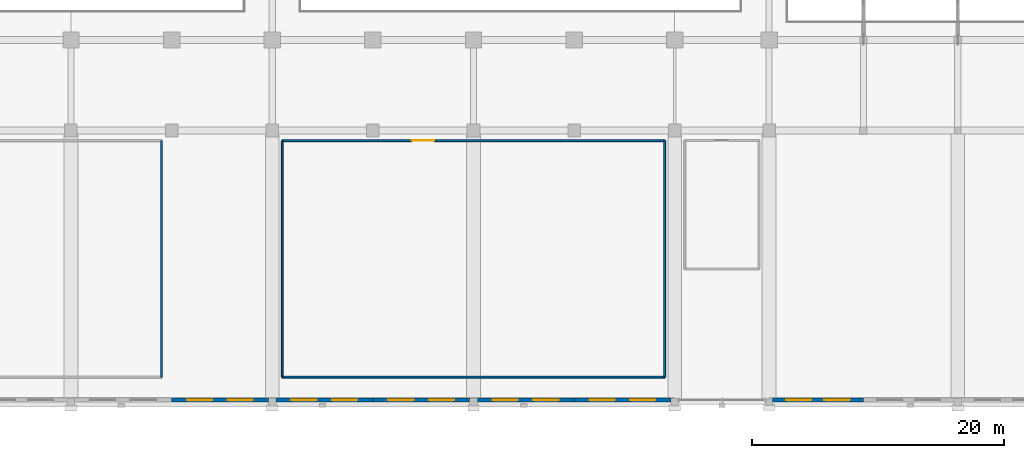
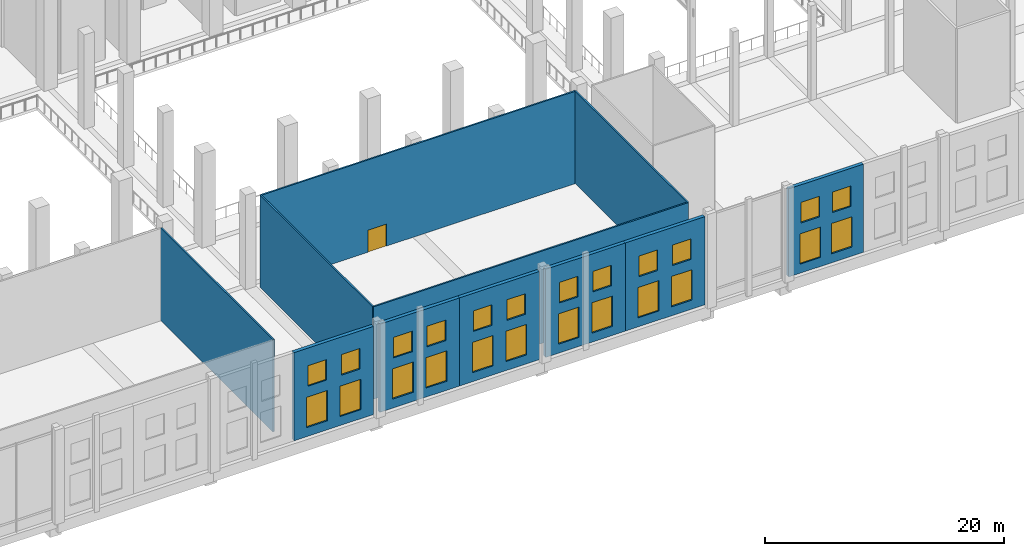
# One storey, part 63 of 80: 24 windows, 11 walls, 1 door, 25 openings.
"""IFC4 building model written with IfcOpenShell, lengths in metres."""

from ifc_helpers import new_model, si_unit, direction, frame, frame_2d, origin, place, context, subcontext, project, spatial, rectangle, extrude, material, layer, layer_set, type_object, element, fill, save


model = new_model("IFC4")

# Units and contexts
model_context = context("Model", 3, precision=1e-05, world=origin(), true_north=direction((0.0, 1.0)))
body_context = subcontext(model_context, "Body", "Model", "MODEL_VIEW")
ifc_project = project(units=[si_unit("LENGTHUNIT", "METRE"), si_unit("AREAUNIT", "SQUARE_METRE"), si_unit("VOLUMEUNIT", "CUBIC_METRE"), si_unit("PLANEANGLEUNIT", "RADIAN"), si_unit("MASSUNIT", "GRAM", prefix="KILO")], contexts=[model_context])

# Site, building, storey
site_placement = place(None, origin())
site = spatial("IfcSite", under=ifc_project, at=site_placement, CompositionType="ELEMENT")
building_placement = place(site_placement, origin())
building = spatial("IfcBuilding", under=site, at=building_placement, Name="Akrevak Sports Hall", CompositionType="ELEMENT")
storey_placement = place(building_placement, frame((0.0, 0.0, 14.0)))
storey = spatial("IfcBuildingStorey", under=building, at=storey_placement, Name="L03", CompositionType="ELEMENT", Elevation=14.0)

# Wall, openings, windows
ifc_material_1 = material(Name="Limestone Ashlar", Category="stone")
ifc_layer_1 = layer(ifc_material_1, 0.070068359375, Name="Limestone Ashlar")
ifc_material_2 = material(Name="Mineral Wool Thermal Insulation", Category="insulation")
ifc_layer_2 = layer(ifc_material_2, 0.10009765625, Name="Mineral Wool Thermal Insulation")
ifc_material_3 = material(Name="Concrete C40/50", Category="concrete")
ifc_layer_3 = layer(ifc_material_3, 0.169921875, Name="Concrete C40/50")
ifc_layer_set_1 = layer_set([ifc_layer_1, ifc_layer_2, ifc_layer_3], Name="Limestone Ashlar / Mineral Wool Thermal Insulation / Concrete C40/50")
wall_type_1 = type_object("IfcWallType", Name="ARC-WL-EXT-340", PredefinedType="SOLIDWALL", material=ifc_layer_set_1)
wall_1_placement = place(storey_placement, frame((68.0, 0.169921875, 0.0), z_axis=(0.0, 0.0, 1.0), x_axis=(1.0, 0.0, 0.0)))
wall_1 = element("IfcWall", 1, at=wall_1_placement, inside=storey, type_object=wall_type_1, Name="Exterior Limestone Wall L03-S08", PredefinedType="SOLIDWALL", context=body_context, shape_type="SweptSolid", body=[
    extrude(rectangle(XDim=7.699951171875, YDim=0.340087890625, at=frame_2d((3.85009765625, 0.0))), origin(), (0.0, 0.0, 1.0), 9.0),
])
opening_1_placement = place(wall_1_placement, frame((1.23291015625, 0.0, 0.919921875)))
opening_1 = element("IfcOpeningElement", 2, at=opening_1_placement, cuts=wall_1, Name="Opening WN-41", PredefinedType="OPENING", context=body_context, shape_type="SweptSolid", body=[
    extrude(rectangle(XDim=2.0, YDim=3.10009765625, at=frame_2d((1.0, 1.550048828125))), frame((0.0, 0.18212890625, 0.0), z_axis=(0.0, -1.0, 0.0), x_axis=(1.0, 0.0, 0.0)), (0.0, 0.0, 1.0), 0.364013671875),
])
opening_2_placement = place(wall_1_placement, frame((1.3330078125, 0.0, 5.10009765625)))
opening_2 = element("IfcOpeningElement", 3, at=opening_2_placement, cuts=wall_1, Name="Opening WN-37", PredefinedType="OPENING", context=body_context, shape_type="SweptSolid", body=[
    extrude(rectangle(XDim=1.800048828125, YDim=2.10009765625, at=frame_2d((0.89990234375, 1.050048828125))), frame((0.0, 0.18212890625, 0.0), z_axis=(0.0, -1.0, 0.0), x_axis=(1.0, 0.0, 0.0)), (0.0, 0.0, 1.0), 0.364013671875),
])
opening_3_placement = place(wall_1_placement, frame((4.467041015625, 0.0, 0.919921875)))
opening_3 = element("IfcOpeningElement", 4, at=opening_3_placement, cuts=wall_1, Name="Opening WN-41", PredefinedType="OPENING", context=body_context, shape_type="SweptSolid", body=[
    extrude(rectangle(XDim=2.0, YDim=3.10009765625, at=frame_2d((1.0, 1.550048828125))), frame((0.0, 0.18212890625, 0.0), z_axis=(0.0, -1.0, 0.0), x_axis=(1.0, 0.0, 0.0)), (0.0, 0.0, 1.0), 0.364013671875),
])
opening_4_placement = place(wall_1_placement, frame((4.56689453125, 0.0, 5.10009765625)))
opening_4 = element("IfcOpeningElement", 5, at=opening_4_placement, cuts=wall_1, Name="Opening WN-37", PredefinedType="OPENING", context=body_context, shape_type="SweptSolid", body=[
    extrude(rectangle(XDim=1.800048828125, YDim=2.10009765625, at=frame_2d((0.89990234375, 1.050048828125))), frame((0.0, 0.18212890625, 0.0), z_axis=(0.0, -1.0, 0.0), x_axis=(1.0, 0.0, 0.0)), (0.0, 0.0, 1.0), 0.364013671875),
])
ifc_material_4 = material(Name="Thermally Broken Bronze Frame & Double Low-E Glass", Category="glass")
window_type_1 = type_object("IfcWindowType", Name="ARC-WIN-SZ-1800x2100", PartitioningType="SINGLE_PANEL", PredefinedType="WINDOW", material=ifc_material_4)
window_1_placement = place(opening_2_placement, origin())
window_1 = element("IfcWindow", 6, at=window_1_placement, inside=storey, type_object=window_type_1, Name="Beaux-Arts Attic Clerestory Window WIN-L03-S08-1U", OverallHeight=2.10009765625, OverallWidth=1.800048828125, PartitioningType="SINGLE_PANEL", PredefinedType="WINDOW", context=body_context, shape_type="SweptSolid", body=[
    extrude(rectangle(XDim=1.800048828125, YDim=2.10009765625, at=frame_2d((0.89990234375, 1.050048828125))), frame((0.0, 0.030029296875, 0.0), z_axis=(0.0, -1.0, 0.0), x_axis=(1.0, 0.0, 0.0)), (0.0, 0.0, 1.0), 0.06005859375),
])
fill(opening_2, window_1)
window_2_placement = place(opening_4_placement, origin())
window_2 = element("IfcWindow", 7, at=window_2_placement, inside=storey, type_object=window_type_1, Name="Beaux-Arts Attic Clerestory Window WIN-L03-S08-2U", OverallHeight=2.10009765625, OverallWidth=1.800048828125, PartitioningType="SINGLE_PANEL", PredefinedType="WINDOW", context=body_context, shape_type="SweptSolid", body=[
    extrude(rectangle(XDim=1.800048828125, YDim=2.10009765625, at=frame_2d((0.89990234375, 1.050048828125))), frame((0.0, 0.030029296875, 0.0), z_axis=(0.0, -1.0, 0.0), x_axis=(1.0, 0.0, 0.0)), (0.0, 0.0, 1.0), 0.06005859375),
])
fill(opening_4, window_2)
window_type_2 = type_object("IfcWindowType", Name="ARC-WIN-SZ-2000x3100", PartitioningType="SINGLE_PANEL", PredefinedType="WINDOW", material=ifc_material_4)
window_3_placement = place(opening_1_placement, origin())
window_3 = element("IfcWindow", 8, at=window_3_placement, inside=storey, type_object=window_type_2, Name="Beaux-Arts Facade Window WIN-L03-S08-1", OverallHeight=3.10009765625, OverallWidth=2.0, PartitioningType="SINGLE_PANEL", PredefinedType="WINDOW", context=body_context, shape_type="SweptSolid", body=[
    extrude(rectangle(XDim=2.0, YDim=3.10009765625, at=frame_2d((1.0, 1.550048828125))), frame((0.0, 0.030029296875, 0.0), z_axis=(0.0, -1.0, 0.0), x_axis=(1.0, 0.0, 0.0)), (0.0, 0.0, 1.0), 0.06005859375),
])
fill(opening_1, window_3)
window_4_placement = place(opening_3_placement, origin())
window_4 = element("IfcWindow", 9, at=window_4_placement, inside=storey, type_object=window_type_2, Name="Beaux-Arts Facade Window WIN-L03-S08-2", OverallHeight=3.10009765625, OverallWidth=2.0, PartitioningType="SINGLE_PANEL", PredefinedType="WINDOW", context=body_context, shape_type="SweptSolid", body=[
    extrude(rectangle(XDim=2.0, YDim=3.10009765625, at=frame_2d((1.0, 1.550048828125))), frame((0.0, 0.030029296875, 0.0), z_axis=(0.0, -1.0, 0.0), x_axis=(1.0, 0.0, 0.0)), (0.0, 0.0, 1.0), 0.06005859375),
])
fill(opening_3, window_4)

wall_2_placement = place(storey_placement, frame((76.300048828125, 0.169921875, 0.0), z_axis=(0.0, 0.0, 1.0), x_axis=(1.0, 0.0, 0.0)))
wall_2 = element("IfcWall", 10, at=wall_2_placement, inside=storey, type_object=wall_type_1, Name="Exterior Limestone Wall L03-S09", PredefinedType="SOLIDWALL", context=body_context, shape_type="SweptSolid", body=[
    extrude(rectangle(XDim=7.699951171875, YDim=0.340087890625, at=frame_2d((3.85009765625, 0.0))), origin(), (0.0, 0.0, 1.0), 9.0),
])
opening_5_placement = place(wall_2_placement, frame((1.23291015625, 0.0, 0.919921875)))
opening_5 = element("IfcOpeningElement", 11, at=opening_5_placement, cuts=wall_2, Name="Opening WN-41", PredefinedType="OPENING", context=body_context, shape_type="SweptSolid", body=[
    extrude(rectangle(XDim=2.0, YDim=3.10009765625, at=frame_2d((1.0, 1.550048828125))), frame((0.0, 0.18212890625, 0.0), z_axis=(0.0, -1.0, 0.0), x_axis=(1.0, 0.0, 0.0)), (0.0, 0.0, 1.0), 0.364013671875),
])
opening_6_placement = place(wall_2_placement, frame((1.3330078125, 0.0, 5.10009765625)))
opening_6 = element("IfcOpeningElement", 12, at=opening_6_placement, cuts=wall_2, Name="Opening WN-37", PredefinedType="OPENING", context=body_context, shape_type="SweptSolid", body=[
    extrude(rectangle(XDim=1.800048828125, YDim=2.10009765625, at=frame_2d((0.89990234375, 1.050048828125))), frame((0.0, 0.18212890625, 0.0), z_axis=(0.0, -1.0, 0.0), x_axis=(1.0, 0.0, 0.0)), (0.0, 0.0, 1.0), 0.364013671875),
])
opening_7_placement = place(wall_2_placement, frame((4.467041015625, 0.0, 0.919921875)))
opening_7 = element("IfcOpeningElement", 13, at=opening_7_placement, cuts=wall_2, Name="Opening WN-41", PredefinedType="OPENING", context=body_context, shape_type="SweptSolid", body=[
    extrude(rectangle(XDim=2.0, YDim=3.10009765625, at=frame_2d((1.0, 1.550048828125))), frame((0.0, 0.18212890625, 0.0), z_axis=(0.0, -1.0, 0.0), x_axis=(1.0, 0.0, 0.0)), (0.0, 0.0, 1.0), 0.364013671875),
])
opening_8_placement = place(wall_2_placement, frame((4.56689453125, 0.0, 5.10009765625)))
opening_8 = element("IfcOpeningElement", 14, at=opening_8_placement, cuts=wall_2, Name="Opening WN-37", PredefinedType="OPENING", context=body_context, shape_type="SweptSolid", body=[
    extrude(rectangle(XDim=1.800048828125, YDim=2.10009765625, at=frame_2d((0.89990234375, 1.050048828125))), frame((0.0, 0.18212890625, 0.0), z_axis=(0.0, -1.0, 0.0), x_axis=(1.0, 0.0, 0.0)), (0.0, 0.0, 1.0), 0.364013671875),
])
window_5_placement = place(opening_6_placement, origin())
window_5 = element("IfcWindow", 15, at=window_5_placement, inside=storey, type_object=window_type_1, Name="Beaux-Arts Attic Clerestory Window WIN-L03-S09-1U", OverallHeight=2.10009765625, OverallWidth=1.800048828125, PartitioningType="SINGLE_PANEL", PredefinedType="WINDOW", context=body_context, shape_type="SweptSolid", body=[
    extrude(rectangle(XDim=1.800048828125, YDim=2.10009765625, at=frame_2d((0.89990234375, 1.050048828125))), frame((0.0, 0.030029296875, 0.0), z_axis=(0.0, -1.0, 0.0), x_axis=(1.0, 0.0, 0.0)), (0.0, 0.0, 1.0), 0.06005859375),
])
fill(opening_6, window_5)
window_6_placement = place(opening_8_placement, origin())
window_6 = element("IfcWindow", 16, at=window_6_placement, inside=storey, type_object=window_type_1, Name="Beaux-Arts Attic Clerestory Window WIN-L03-S09-2U", OverallHeight=2.10009765625, OverallWidth=1.800048828125, PartitioningType="SINGLE_PANEL", PredefinedType="WINDOW", context=body_context, shape_type="SweptSolid", body=[
    extrude(rectangle(XDim=1.800048828125, YDim=2.10009765625, at=frame_2d((0.89990234375, 1.050048828125))), frame((0.0, 0.030029296875, 0.0), z_axis=(0.0, -1.0, 0.0), x_axis=(1.0, 0.0, 0.0)), (0.0, 0.0, 1.0), 0.06005859375),
])
fill(opening_8, window_6)
window_7_placement = place(opening_5_placement, origin())
window_7 = element("IfcWindow", 17, at=window_7_placement, inside=storey, type_object=window_type_2, Name="Beaux-Arts Facade Window WIN-L03-S09-1", OverallHeight=3.10009765625, OverallWidth=2.0, PartitioningType="SINGLE_PANEL", PredefinedType="WINDOW", context=body_context, shape_type="SweptSolid", body=[
    extrude(rectangle(XDim=2.0, YDim=3.10009765625, at=frame_2d((1.0, 1.550048828125))), frame((0.0, 0.030029296875, 0.0), z_axis=(0.0, -1.0, 0.0), x_axis=(1.0, 0.0, 0.0)), (0.0, 0.0, 1.0), 0.06005859375),
])
fill(opening_5, window_7)
window_8_placement = place(opening_7_placement, origin())
window_8 = element("IfcWindow", 18, at=window_8_placement, inside=storey, type_object=window_type_2, Name="Beaux-Arts Facade Window WIN-L03-S09-2", OverallHeight=3.10009765625, OverallWidth=2.0, PartitioningType="SINGLE_PANEL", PredefinedType="WINDOW", context=body_context, shape_type="SweptSolid", body=[
    extrude(rectangle(XDim=2.0, YDim=3.10009765625, at=frame_2d((1.0, 1.550048828125))), frame((0.0, 0.030029296875, 0.0), z_axis=(0.0, -1.0, 0.0), x_axis=(1.0, 0.0, 0.0)), (0.0, 0.0, 1.0), 0.06005859375),
])
fill(opening_7, window_8)

wall_3_placement = place(storey_placement, frame((84.0, 0.169921875, 0.0), z_axis=(0.0, 0.0, 1.0), x_axis=(1.0, 0.0, 0.0)))
wall_3 = element("IfcWall", 19, at=wall_3_placement, inside=storey, type_object=wall_type_1, Name="Exterior Limestone Wall L03-S10", PredefinedType="SOLIDWALL", context=body_context, shape_type="SweptSolid", body=[
    extrude(rectangle(XDim=7.699951171875, YDim=0.340087890625, at=frame_2d((3.85009765625, 0.0))), origin(), (0.0, 0.0, 1.0), 9.0),
])
opening_9_placement = place(wall_3_placement, frame((1.23291015625, 0.0, 0.919921875)))
opening_9 = element("IfcOpeningElement", 20, at=opening_9_placement, cuts=wall_3, Name="Opening WN-41", PredefinedType="OPENING", context=body_context, shape_type="SweptSolid", body=[
    extrude(rectangle(XDim=2.0, YDim=3.10009765625, at=frame_2d((1.0, 1.550048828125))), frame((0.0, 0.18212890625, 0.0), z_axis=(0.0, -1.0, 0.0), x_axis=(1.0, 0.0, 0.0)), (0.0, 0.0, 1.0), 0.364013671875),
])
opening_10_placement = place(wall_3_placement, frame((1.3330078125, 0.0, 5.10009765625)))
opening_10 = element("IfcOpeningElement", 21, at=opening_10_placement, cuts=wall_3, Name="Opening WN-37", PredefinedType="OPENING", context=body_context, shape_type="SweptSolid", body=[
    extrude(rectangle(XDim=1.800048828125, YDim=2.10009765625, at=frame_2d((0.89990234375, 1.050048828125))), frame((0.0, 0.18212890625, 0.0), z_axis=(0.0, -1.0, 0.0), x_axis=(1.0, 0.0, 0.0)), (0.0, 0.0, 1.0), 0.364013671875),
])
opening_11_placement = place(wall_3_placement, frame((4.467041015625, 0.0, 0.919921875)))
opening_11 = element("IfcOpeningElement", 22, at=opening_11_placement, cuts=wall_3, Name="Opening WN-41", PredefinedType="OPENING", context=body_context, shape_type="SweptSolid", body=[
    extrude(rectangle(XDim=2.0, YDim=3.10009765625, at=frame_2d((1.0, 1.550048828125))), frame((0.0, 0.18212890625, 0.0), z_axis=(0.0, -1.0, 0.0), x_axis=(1.0, 0.0, 0.0)), (0.0, 0.0, 1.0), 0.364013671875),
])
opening_12_placement = place(wall_3_placement, frame((4.56689453125, 0.0, 5.10009765625)))
opening_12 = element("IfcOpeningElement", 23, at=opening_12_placement, cuts=wall_3, Name="Opening WN-37", PredefinedType="OPENING", context=body_context, shape_type="SweptSolid", body=[
    extrude(rectangle(XDim=1.800048828125, YDim=2.10009765625, at=frame_2d((0.89990234375, 1.050048828125))), frame((0.0, 0.18212890625, 0.0), z_axis=(0.0, -1.0, 0.0), x_axis=(1.0, 0.0, 0.0)), (0.0, 0.0, 1.0), 0.364013671875),
])
window_9_placement = place(opening_10_placement, origin())
window_9 = element("IfcWindow", 24, at=window_9_placement, inside=storey, type_object=window_type_1, Name="Beaux-Arts Attic Clerestory Window WIN-L03-S10-1U", OverallHeight=2.10009765625, OverallWidth=1.800048828125, PartitioningType="SINGLE_PANEL", PredefinedType="WINDOW", context=body_context, shape_type="SweptSolid", body=[
    extrude(rectangle(XDim=1.800048828125, YDim=2.10009765625, at=frame_2d((0.89990234375, 1.050048828125))), frame((0.0, 0.030029296875, 0.0), z_axis=(0.0, -1.0, 0.0), x_axis=(1.0, 0.0, 0.0)), (0.0, 0.0, 1.0), 0.06005859375),
])
fill(opening_10, window_9)
window_10_placement = place(opening_12_placement, origin())
window_10 = element("IfcWindow", 25, at=window_10_placement, inside=storey, type_object=window_type_1, Name="Beaux-Arts Attic Clerestory Window WIN-L03-S10-2U", OverallHeight=2.10009765625, OverallWidth=1.800048828125, PartitioningType="SINGLE_PANEL", PredefinedType="WINDOW", context=body_context, shape_type="SweptSolid", body=[
    extrude(rectangle(XDim=1.800048828125, YDim=2.10009765625, at=frame_2d((0.89990234375, 1.050048828125))), frame((0.0, 0.030029296875, 0.0), z_axis=(0.0, -1.0, 0.0), x_axis=(1.0, 0.0, 0.0)), (0.0, 0.0, 1.0), 0.06005859375),
])
fill(opening_12, window_10)
window_11_placement = place(opening_9_placement, origin())
window_11 = element("IfcWindow", 26, at=window_11_placement, inside=storey, type_object=window_type_2, Name="Beaux-Arts Facade Window WIN-L03-S10-1", OverallHeight=3.10009765625, OverallWidth=2.0, PartitioningType="SINGLE_PANEL", PredefinedType="WINDOW", context=body_context, shape_type="SweptSolid", body=[
    extrude(rectangle(XDim=2.0, YDim=3.10009765625, at=frame_2d((1.0, 1.550048828125))), frame((0.0, 0.030029296875, 0.0), z_axis=(0.0, -1.0, 0.0), x_axis=(1.0, 0.0, 0.0)), (0.0, 0.0, 1.0), 0.06005859375),
])
fill(opening_9, window_11)
window_12_placement = place(opening_11_placement, origin())
window_12 = element("IfcWindow", 27, at=window_12_placement, inside=storey, type_object=window_type_2, Name="Beaux-Arts Facade Window WIN-L03-S10-2", OverallHeight=3.10009765625, OverallWidth=2.0, PartitioningType="SINGLE_PANEL", PredefinedType="WINDOW", context=body_context, shape_type="SweptSolid", body=[
    extrude(rectangle(XDim=2.0, YDim=3.10009765625, at=frame_2d((1.0, 1.550048828125))), frame((0.0, 0.030029296875, 0.0), z_axis=(0.0, -1.0, 0.0), x_axis=(1.0, 0.0, 0.0)), (0.0, 0.0, 1.0), 0.06005859375),
])
fill(opening_11, window_12)

wall_4_placement = place(storey_placement, frame((92.300048828125, 0.169921875, 0.0), z_axis=(0.0, 0.0, 1.0), x_axis=(1.0, 0.0, 0.0)))
wall_4 = element("IfcWall", 28, at=wall_4_placement, inside=storey, type_object=wall_type_1, Name="Exterior Limestone Wall L03-S11", PredefinedType="SOLIDWALL", context=body_context, shape_type="SweptSolid", body=[
    extrude(rectangle(XDim=7.699951171875, YDim=0.340087890625, at=frame_2d((3.85009765625, 0.0))), origin(), (0.0, 0.0, 1.0), 9.0),
])
opening_13_placement = place(wall_4_placement, frame((1.23291015625, 0.0, 0.919921875)))
opening_13 = element("IfcOpeningElement", 29, at=opening_13_placement, cuts=wall_4, Name="Opening WN-41", PredefinedType="OPENING", context=body_context, shape_type="SweptSolid", body=[
    extrude(rectangle(XDim=2.0, YDim=3.10009765625, at=frame_2d((1.0, 1.550048828125))), frame((0.0, 0.18212890625, 0.0), z_axis=(0.0, -1.0, 0.0), x_axis=(1.0, 0.0, 0.0)), (0.0, 0.0, 1.0), 0.364013671875),
])
opening_14_placement = place(wall_4_placement, frame((1.3330078125, 0.0, 5.10009765625)))
opening_14 = element("IfcOpeningElement", 30, at=opening_14_placement, cuts=wall_4, Name="Opening WN-37", PredefinedType="OPENING", context=body_context, shape_type="SweptSolid", body=[
    extrude(rectangle(XDim=1.800048828125, YDim=2.10009765625, at=frame_2d((0.89990234375, 1.050048828125))), frame((0.0, 0.18212890625, 0.0), z_axis=(0.0, -1.0, 0.0), x_axis=(1.0, 0.0, 0.0)), (0.0, 0.0, 1.0), 0.364013671875),
])
opening_15_placement = place(wall_4_placement, frame((4.467041015625, 0.0, 0.919921875)))
opening_15 = element("IfcOpeningElement", 31, at=opening_15_placement, cuts=wall_4, Name="Opening WN-41", PredefinedType="OPENING", context=body_context, shape_type="SweptSolid", body=[
    extrude(rectangle(XDim=2.0, YDim=3.10009765625, at=frame_2d((1.0, 1.550048828125))), frame((0.0, 0.18212890625, 0.0), z_axis=(0.0, -1.0, 0.0), x_axis=(1.0, 0.0, 0.0)), (0.0, 0.0, 1.0), 0.364013671875),
])
opening_16_placement = place(wall_4_placement, frame((4.56689453125, 0.0, 5.10009765625)))
opening_16 = element("IfcOpeningElement", 32, at=opening_16_placement, cuts=wall_4, Name="Opening WN-37", PredefinedType="OPENING", context=body_context, shape_type="SweptSolid", body=[
    extrude(rectangle(XDim=1.800048828125, YDim=2.10009765625, at=frame_2d((0.89990234375, 1.050048828125))), frame((0.0, 0.18212890625, 0.0), z_axis=(0.0, -1.0, 0.0), x_axis=(1.0, 0.0, 0.0)), (0.0, 0.0, 1.0), 0.364013671875),
])
window_13_placement = place(opening_14_placement, origin())
window_13 = element("IfcWindow", 33, at=window_13_placement, inside=storey, type_object=window_type_1, Name="Beaux-Arts Attic Clerestory Window WIN-L03-S11-1U", OverallHeight=2.10009765625, OverallWidth=1.800048828125, PartitioningType="SINGLE_PANEL", PredefinedType="WINDOW", context=body_context, shape_type="SweptSolid", body=[
    extrude(rectangle(XDim=1.800048828125, YDim=2.10009765625, at=frame_2d((0.89990234375, 1.050048828125))), frame((0.0, 0.030029296875, 0.0), z_axis=(0.0, -1.0, 0.0), x_axis=(1.0, 0.0, 0.0)), (0.0, 0.0, 1.0), 0.06005859375),
])
fill(opening_14, window_13)
window_14_placement = place(opening_16_placement, origin())
window_14 = element("IfcWindow", 34, at=window_14_placement, inside=storey, type_object=window_type_1, Name="Beaux-Arts Attic Clerestory Window WIN-L03-S11-2U", OverallHeight=2.10009765625, OverallWidth=1.800048828125, PartitioningType="SINGLE_PANEL", PredefinedType="WINDOW", context=body_context, shape_type="SweptSolid", body=[
    extrude(rectangle(XDim=1.800048828125, YDim=2.10009765625, at=frame_2d((0.89990234375, 1.050048828125))), frame((0.0, 0.030029296875, 0.0), z_axis=(0.0, -1.0, 0.0), x_axis=(1.0, 0.0, 0.0)), (0.0, 0.0, 1.0), 0.06005859375),
])
fill(opening_16, window_14)
window_15_placement = place(opening_13_placement, origin())
window_15 = element("IfcWindow", 35, at=window_15_placement, inside=storey, type_object=window_type_2, Name="Beaux-Arts Facade Window WIN-L03-S11-1", OverallHeight=3.10009765625, OverallWidth=2.0, PartitioningType="SINGLE_PANEL", PredefinedType="WINDOW", context=body_context, shape_type="SweptSolid", body=[
    extrude(rectangle(XDim=2.0, YDim=3.10009765625, at=frame_2d((1.0, 1.550048828125))), frame((0.0, 0.030029296875, 0.0), z_axis=(0.0, -1.0, 0.0), x_axis=(1.0, 0.0, 0.0)), (0.0, 0.0, 1.0), 0.06005859375),
])
fill(opening_13, window_15)
window_16_placement = place(opening_15_placement, origin())
window_16 = element("IfcWindow", 36, at=window_16_placement, inside=storey, type_object=window_type_2, Name="Beaux-Arts Facade Window WIN-L03-S11-2", OverallHeight=3.10009765625, OverallWidth=2.0, PartitioningType="SINGLE_PANEL", PredefinedType="WINDOW", context=body_context, shape_type="SweptSolid", body=[
    extrude(rectangle(XDim=2.0, YDim=3.10009765625, at=frame_2d((1.0, 1.550048828125))), frame((0.0, 0.030029296875, 0.0), z_axis=(0.0, -1.0, 0.0), x_axis=(1.0, 0.0, 0.0)), (0.0, 0.0, 1.0), 0.06005859375),
])
fill(opening_15, window_16)

wall_5_placement = place(storey_placement, frame((100.0, 0.169921875, 0.0), z_axis=(0.0, 0.0, 1.0), x_axis=(1.0, 0.0, 0.0)))
wall_5 = element("IfcWall", 37, at=wall_5_placement, inside=storey, type_object=wall_type_1, Name="Exterior Limestone Wall L03-S12", PredefinedType="SOLIDWALL", context=body_context, shape_type="SweptSolid", body=[
    extrude(rectangle(XDim=7.699951171875, YDim=0.340087890625, at=frame_2d((3.85009765625, 0.0))), origin(), (0.0, 0.0, 1.0), 9.0),
])
opening_17_placement = place(wall_5_placement, frame((1.23291015625, 0.0, 0.919921875)))
opening_17 = element("IfcOpeningElement", 38, at=opening_17_placement, cuts=wall_5, Name="Opening WN-41", PredefinedType="OPENING", context=body_context, shape_type="SweptSolid", body=[
    extrude(rectangle(XDim=2.0, YDim=3.10009765625, at=frame_2d((1.0, 1.550048828125))), frame((0.0, 0.18212890625, 0.0), z_axis=(0.0, -1.0, 0.0), x_axis=(1.0, 0.0, 0.0)), (0.0, 0.0, 1.0), 0.364013671875),
])
opening_18_placement = place(wall_5_placement, frame((1.3330078125, 0.0, 5.10009765625)))
opening_18 = element("IfcOpeningElement", 39, at=opening_18_placement, cuts=wall_5, Name="Opening WN-37", PredefinedType="OPENING", context=body_context, shape_type="SweptSolid", body=[
    extrude(rectangle(XDim=1.800048828125, YDim=2.10009765625, at=frame_2d((0.89990234375, 1.050048828125))), frame((0.0, 0.18212890625, 0.0), z_axis=(0.0, -1.0, 0.0), x_axis=(1.0, 0.0, 0.0)), (0.0, 0.0, 1.0), 0.364013671875),
])
opening_19_placement = place(wall_5_placement, frame((4.467041015625, 0.0, 0.919921875)))
opening_19 = element("IfcOpeningElement", 40, at=opening_19_placement, cuts=wall_5, Name="Opening WN-41", PredefinedType="OPENING", context=body_context, shape_type="SweptSolid", body=[
    extrude(rectangle(XDim=2.0, YDim=3.10009765625, at=frame_2d((1.0, 1.550048828125))), frame((0.0, 0.18212890625, 0.0), z_axis=(0.0, -1.0, 0.0), x_axis=(1.0, 0.0, 0.0)), (0.0, 0.0, 1.0), 0.364013671875),
])
opening_20_placement = place(wall_5_placement, frame((4.56689453125, 0.0, 5.10009765625)))
opening_20 = element("IfcOpeningElement", 41, at=opening_20_placement, cuts=wall_5, Name="Opening WN-37", PredefinedType="OPENING", context=body_context, shape_type="SweptSolid", body=[
    extrude(rectangle(XDim=1.800048828125, YDim=2.10009765625, at=frame_2d((0.89990234375, 1.050048828125))), frame((0.0, 0.18212890625, 0.0), z_axis=(0.0, -1.0, 0.0), x_axis=(1.0, 0.0, 0.0)), (0.0, 0.0, 1.0), 0.364013671875),
])
window_17_placement = place(opening_18_placement, origin())
window_17 = element("IfcWindow", 42, at=window_17_placement, inside=storey, type_object=window_type_1, Name="Beaux-Arts Attic Clerestory Window WIN-L03-S12-1U", OverallHeight=2.10009765625, OverallWidth=1.800048828125, PartitioningType="SINGLE_PANEL", PredefinedType="WINDOW", context=body_context, shape_type="SweptSolid", body=[
    extrude(rectangle(XDim=1.800048828125, YDim=2.10009765625, at=frame_2d((0.89990234375, 1.050048828125))), frame((0.0, 0.030029296875, 0.0), z_axis=(0.0, -1.0, 0.0), x_axis=(1.0, 0.0, 0.0)), (0.0, 0.0, 1.0), 0.06005859375),
])
fill(opening_18, window_17)
window_18_placement = place(opening_20_placement, origin())
window_18 = element("IfcWindow", 43, at=window_18_placement, inside=storey, type_object=window_type_1, Name="Beaux-Arts Attic Clerestory Window WIN-L03-S12-2U", OverallHeight=2.10009765625, OverallWidth=1.800048828125, PartitioningType="SINGLE_PANEL", PredefinedType="WINDOW", context=body_context, shape_type="SweptSolid", body=[
    extrude(rectangle(XDim=1.800048828125, YDim=2.10009765625, at=frame_2d((0.89990234375, 1.050048828125))), frame((0.0, 0.030029296875, 0.0), z_axis=(0.0, -1.0, 0.0), x_axis=(1.0, 0.0, 0.0)), (0.0, 0.0, 1.0), 0.06005859375),
])
fill(opening_20, window_18)
window_19_placement = place(opening_17_placement, origin())
window_19 = element("IfcWindow", 44, at=window_19_placement, inside=storey, type_object=window_type_2, Name="Beaux-Arts Facade Window WIN-L03-S12-1", OverallHeight=3.10009765625, OverallWidth=2.0, PartitioningType="SINGLE_PANEL", PredefinedType="WINDOW", context=body_context, shape_type="SweptSolid", body=[
    extrude(rectangle(XDim=2.0, YDim=3.10009765625, at=frame_2d((1.0, 1.550048828125))), frame((0.0, 0.030029296875, 0.0), z_axis=(0.0, -1.0, 0.0), x_axis=(1.0, 0.0, 0.0)), (0.0, 0.0, 1.0), 0.06005859375),
])
fill(opening_17, window_19)
window_20_placement = place(opening_19_placement, origin())
window_20 = element("IfcWindow", 45, at=window_20_placement, inside=storey, type_object=window_type_2, Name="Beaux-Arts Facade Window WIN-L03-S12-2", OverallHeight=3.10009765625, OverallWidth=2.0, PartitioningType="SINGLE_PANEL", PredefinedType="WINDOW", context=body_context, shape_type="SweptSolid", body=[
    extrude(rectangle(XDim=2.0, YDim=3.10009765625, at=frame_2d((1.0, 1.550048828125))), frame((0.0, 0.030029296875, 0.0), z_axis=(0.0, -1.0, 0.0), x_axis=(1.0, 0.0, 0.0)), (0.0, 0.0, 1.0), 0.06005859375),
])
fill(opening_19, window_20)

wall_6_placement = place(storey_placement, frame((115.77490234375, 0.169921875, 0.0), z_axis=(0.0, 0.0, 1.0), x_axis=(1.0, 0.0, 0.0)))
wall_6 = element("IfcWall", 46, at=wall_6_placement, inside=storey, type_object=wall_type_1, Name="Exterior Limestone Wall L03-S14", PredefinedType="SOLIDWALL", context=body_context, shape_type="SweptSolid", body=[
    extrude(rectangle(XDim=7.22509765625, YDim=0.340087890625, at=frame_2d((3.612548828125, 0.0))), origin(), (0.0, 0.0, 1.0), 9.0),
])
opening_21_placement = place(wall_6_placement, frame((1.09521484375, 0.0, 0.919921875)))
opening_21 = element("IfcOpeningElement", 47, at=opening_21_placement, cuts=wall_6, Name="Opening WN-41", PredefinedType="OPENING", context=body_context, shape_type="SweptSolid", body=[
    extrude(rectangle(XDim=2.0, YDim=3.10009765625, at=frame_2d((1.0, 1.550048828125))), frame((0.0, 0.18212890625, 0.0), z_axis=(0.0, -1.0, 0.0), x_axis=(1.0, 0.0, 0.0)), (0.0, 0.0, 1.0), 0.364013671875),
])
opening_22_placement = place(wall_6_placement, frame((1.1953125, 0.0, 5.10009765625)))
opening_22 = element("IfcOpeningElement", 48, at=opening_22_placement, cuts=wall_6, Name="Opening WN-37", PredefinedType="OPENING", context=body_context, shape_type="SweptSolid", body=[
    extrude(rectangle(XDim=1.800048828125, YDim=2.10009765625, at=frame_2d((0.89990234375, 1.050048828125))), frame((0.0, 0.18212890625, 0.0), z_axis=(0.0, -1.0, 0.0), x_axis=(1.0, 0.0, 0.0)), (0.0, 0.0, 1.0), 0.364013671875),
])
opening_23_placement = place(wall_6_placement, frame((4.1298828125, 0.0, 0.919921875)))
opening_23 = element("IfcOpeningElement", 49, at=opening_23_placement, cuts=wall_6, Name="Opening WN-41", PredefinedType="OPENING", context=body_context, shape_type="SweptSolid", body=[
    extrude(rectangle(XDim=2.0, YDim=3.10009765625, at=frame_2d((1.0, 1.550048828125))), frame((0.0, 0.18212890625, 0.0), z_axis=(0.0, -1.0, 0.0), x_axis=(1.0, 0.0, 0.0)), (0.0, 0.0, 1.0), 0.364013671875),
])
opening_24_placement = place(wall_6_placement, frame((4.229736328125, 0.0, 5.10009765625)))
opening_24 = element("IfcOpeningElement", 50, at=opening_24_placement, cuts=wall_6, Name="Opening WN-37", PredefinedType="OPENING", context=body_context, shape_type="SweptSolid", body=[
    extrude(rectangle(XDim=1.800048828125, YDim=2.10009765625, at=frame_2d((0.89990234375, 1.050048828125))), frame((0.0, 0.18212890625, 0.0), z_axis=(0.0, -1.0, 0.0), x_axis=(1.0, 0.0, 0.0)), (0.0, 0.0, 1.0), 0.364013671875),
])
window_21_placement = place(opening_22_placement, origin())
window_21 = element("IfcWindow", 51, at=window_21_placement, inside=storey, type_object=window_type_1, Name="Beaux-Arts Attic Clerestory Window WIN-L03-S14-1U", OverallHeight=2.10009765625, OverallWidth=1.800048828125, PartitioningType="SINGLE_PANEL", PredefinedType="WINDOW", context=body_context, shape_type="SweptSolid", body=[
    extrude(rectangle(XDim=1.800048828125, YDim=2.10009765625, at=frame_2d((0.89990234375, 1.050048828125))), frame((0.0, 0.030029296875, 0.0), z_axis=(0.0, -1.0, 0.0), x_axis=(1.0, 0.0, 0.0)), (0.0, 0.0, 1.0), 0.06005859375),
])
fill(opening_22, window_21)
window_22_placement = place(opening_24_placement, origin())
window_22 = element("IfcWindow", 52, at=window_22_placement, inside=storey, type_object=window_type_1, Name="Beaux-Arts Attic Clerestory Window WIN-L03-S14-2U", OverallHeight=2.10009765625, OverallWidth=1.800048828125, PartitioningType="SINGLE_PANEL", PredefinedType="WINDOW", context=body_context, shape_type="SweptSolid", body=[
    extrude(rectangle(XDim=1.800048828125, YDim=2.10009765625, at=frame_2d((0.89990234375, 1.050048828125))), frame((0.0, 0.030029296875, 0.0), z_axis=(0.0, -1.0, 0.0), x_axis=(1.0, 0.0, 0.0)), (0.0, 0.0, 1.0), 0.06005859375),
])
fill(opening_24, window_22)
window_23_placement = place(opening_21_placement, origin())
window_23 = element("IfcWindow", 53, at=window_23_placement, inside=storey, type_object=window_type_2, Name="Beaux-Arts Facade Window WIN-L03-S14-1", OverallHeight=3.10009765625, OverallWidth=2.0, PartitioningType="SINGLE_PANEL", PredefinedType="WINDOW", context=body_context, shape_type="SweptSolid", body=[
    extrude(rectangle(XDim=2.0, YDim=3.10009765625, at=frame_2d((1.0, 1.550048828125))), frame((0.0, 0.030029296875, 0.0), z_axis=(0.0, -1.0, 0.0), x_axis=(1.0, 0.0, 0.0)), (0.0, 0.0, 1.0), 0.06005859375),
])
fill(opening_21, window_23)
window_24_placement = place(opening_23_placement, origin())
window_24 = element("IfcWindow", 54, at=window_24_placement, inside=storey, type_object=window_type_2, Name="Beaux-Arts Facade Window WIN-L03-S14-2", OverallHeight=3.10009765625, OverallWidth=2.0, PartitioningType="SINGLE_PANEL", PredefinedType="WINDOW", context=body_context, shape_type="SweptSolid", body=[
    extrude(rectangle(XDim=2.0, YDim=3.10009765625, at=frame_2d((1.0, 1.550048828125))), frame((0.0, 0.030029296875, 0.0), z_axis=(0.0, -1.0, 0.0), x_axis=(1.0, 0.0, 0.0)), (0.0, 0.0, 1.0), 0.06005859375),
])
fill(opening_23, window_24)

# Walls
ifc_material_5 = material(Name="Double Stud Acoustic Gypsum Partition", Category="gypsum")
ifc_layer_4 = layer(ifc_material_5, 0.14990234375, Name="Double Stud Acoustic Gypsum Partition")
ifc_layer_set_2 = layer_set([ifc_layer_4], Name="Double Stud Acoustic Gypsum Partition")
wall_type_2 = type_object("IfcWallType", Name="ARC-WL-PRT-150", PredefinedType="PARTITIONING", material=ifc_layer_set_2)
wall_7_placement = place(storey_placement, frame((67.199951171875, 2.0, 0.0), z_axis=(0.0, 0.0, 1.0), x_axis=(0.0, 1.0, 0.0)))
element("IfcWall", 55, at=wall_7_placement, inside=storey, type_object=wall_type_2, Name="Interior Partition Fitness Studio 5 - Altitude Cycling & Spin (E)", PredefinedType="PARTITIONING", context=body_context, shape_type="SweptSolid", body=[
    extrude(rectangle(XDim=18.800048828125, YDim=0.14990234375, at=frame_2d((9.39990234375, 0.0))), origin(), (0.0, 0.0, 1.0), 9.429931640625),
])
wall_8_placement = place(storey_placement, frame((76.800048828125, 2.0, 0.0), z_axis=(0.0, 0.0, 1.0), x_axis=(1.0, 0.0, 0.0)))
element("IfcWall", 56, at=wall_8_placement, inside=storey, type_object=wall_type_2, Name="Interior Partition Fitness Studio 6 - Pilates & Recovery Yoga (S)", PredefinedType="PARTITIONING", context=body_context, shape_type="SweptSolid", body=[
    extrude(rectangle(XDim=30.39990234375, YDim=0.14990234375, at=frame_2d((15.199951171875, 0.0))), origin(), (0.0, 0.0, 1.0), 9.429931640625),
])

# Wall, opening, door
wall_9_placement = place(storey_placement, frame((76.800048828125, 20.800048828125, 0.0), z_axis=(0.0, 0.0, 1.0), x_axis=(1.0, 0.0, 0.0)))
wall_9 = element("IfcWall", 57, at=wall_9_placement, inside=storey, type_object=wall_type_2, Name="Interior Partition Fitness Studio 6 - Pilates & Recovery Yoga (N)", PredefinedType="PARTITIONING", context=body_context, shape_type="SweptSolid", body=[
    extrude(rectangle(XDim=30.39990234375, YDim=0.14990234375, at=frame_2d((15.199951171875, 0.0))), origin(), (0.0, 0.0, 1.0), 9.429931640625),
])
opening_25_placement = place(wall_9_placement, frame((10.300048828125, 0.0, 0.0)))
opening_25 = element("IfcOpeningElement", 58, at=opening_25_placement, cuts=wall_9, Name="Opening ID-02", PredefinedType="OPENING", context=body_context, shape_type="SweptSolid", body=[
    extrude(rectangle(XDim=1.800048828125, YDim=2.25, at=frame_2d((0.89990234375, 1.125))), frame((0.0, 0.0869140625, 0.0), z_axis=(0.0, -1.0, 0.0), x_axis=(1.0, 0.0, 0.0)), (0.0, 0.0, 1.0), 0.173828125),
])
ifc_material_6 = material(Name="Hardwood Oak & Safety Glass", Category="wood")
door_type = type_object("IfcDoorType", Name="ARC-DR-HALL-180x225", OperationType="DOUBLE_DOOR_SINGLE_SWING", PredefinedType="DOOR", material=ifc_material_6)
door_placement = place(opening_25_placement, origin())
door = element("IfcDoor", 59, at=door_placement, inside=storey, type_object=door_type, Name="Door to Fitness Studio 6 - Pilates & Recovery Yoga", OperationType="DOUBLE_DOOR_SINGLE_SWING", OverallHeight=2.25, OverallWidth=1.800048828125, PredefinedType="DOOR", context=body_context, shape_type="SweptSolid", body=[
    extrude(rectangle(XDim=1.800048828125, YDim=2.25, at=frame_2d((0.89990234375, 1.125))), frame((0.0, 0.02490234375, 0.0), z_axis=(0.0, -1.0, 0.0), x_axis=(1.0, 0.0, 0.0)), (0.0, 0.0, 1.0), 0.050048828125),
])
fill(opening_25, door)

# Walls
for number, where, z_axis, x_axis, name in (
    (60, (76.800048828125, 2.0, 0.0), (0.0, 0.0, 1.0), (0.0, 1.0, 0.0), "Interior Partition Fitness Studio 6 - Pilates & Recovery Yoga (W)"),
    (61, (107.199951171875, 2.0, 0.0), (0.0, 0.0, 1.0), (0.0, 1.0, 0.0), "Interior Partition Fitness Studio 6 - Pilates & Recovery Yoga (E)"),
):
    element("IfcWall", number, at=place(storey_placement, frame(where, z_axis=z_axis, x_axis=x_axis)), inside=storey, type_object=wall_type_2, Name=name, PredefinedType="PARTITIONING", context=body_context, shape_type="SweptSolid", body=[
        extrude(rectangle(XDim=18.800048828125, YDim=0.14990234375, at=frame_2d((9.39990234375, 0.0))), origin(), (0.0, 0.0, 1.0), 9.429931640625),
    ])

save(model, "model.ifc")
